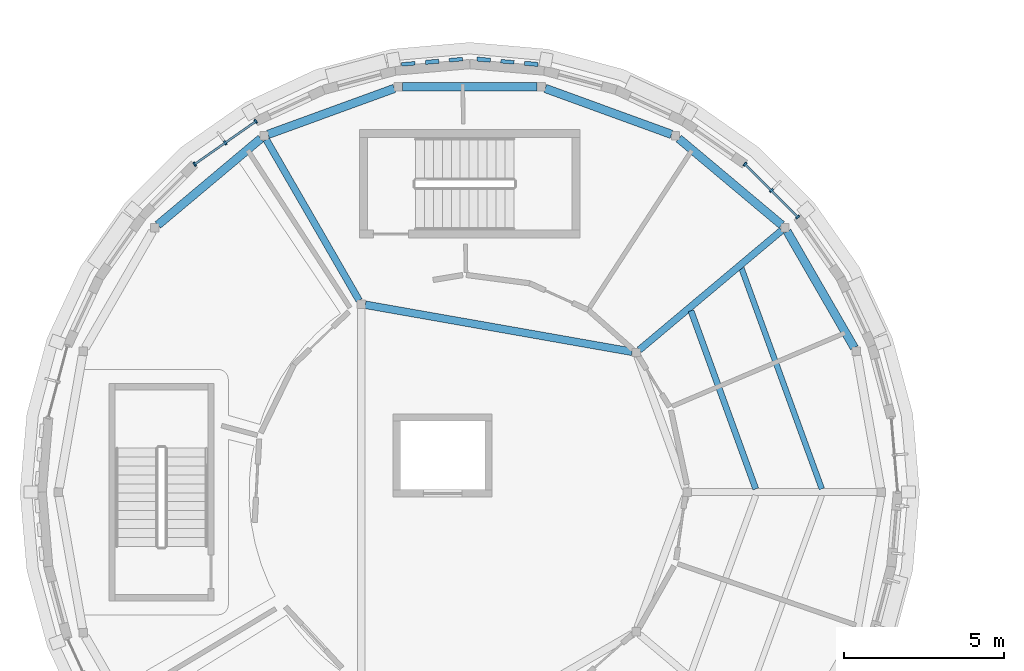
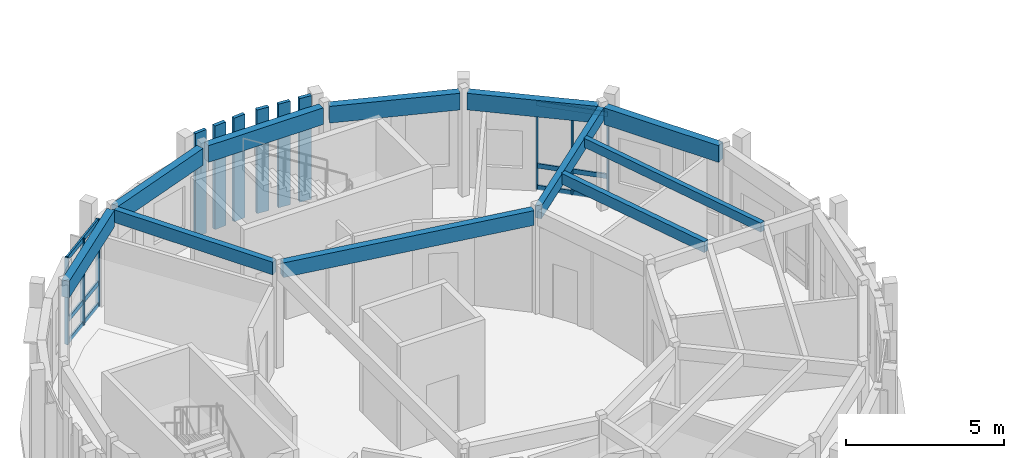
# One storey, part 7 of 30: 18 members, 11 beams, 2 elements without a shape of their own.
"""IFC4 building model written with IfcOpenShell, lengths in metres."""

import ifcopenshell
import ifcopenshell.guid

model = None  # the IFC model being written
_history = None  # IfcOwnerHistory: only IFC2X3 demands one
_inside = {}  # id of a spatial element -> (the spatial element, [elements in it])
_under = {}  # id of a project, library or spatial element -> (it, [spatial elements below it])
_declared = {}  # id of a project -> (the project, [libraries it declares])
_typed = {}  # id of a type object -> (the type object, [elements of that type])
_made_of = {}  # id of a material, layer set ... -> (it, [elements and type objects made of it])


def new_model(schema):
    """Start an empty IFC model of exactly this schema.

    Asked for "IFC4X3", IfcOpenShell would pick the latest addendum, in which some entities
    have other attributes; the version numbers below select the first issue.
    IFC2X3 requires an IfcOwnerHistory on every rooted entity: one is made here for all.
    """
    global model, _history
    if schema == "IFC4X3":
        model = ifcopenshell.file(schema_version=(4, 3, 0, 0))
    else:
        model = ifcopenshell.file(schema=schema)
    _inside.clear()
    _under.clear()
    _declared.clear()
    _typed.clear()
    _made_of.clear()
    _history = None
    if model.schema == "IFC2X3":
        org = make("IfcOrganization", Name="unknown")
        user = make(
            "IfcPersonAndOrganization",
            ThePerson=make("IfcPerson", FamilyName="unknown"),
            TheOrganization=org,
        )
        app = make(
            "IfcApplication",
            ApplicationDeveloper=org,
            Version="unknown",
            ApplicationFullName="unknown",
            ApplicationIdentifier="unknown",
        )
        _history = make(
            "IfcOwnerHistory",
            OwningUser=user,
            OwningApplication=app,
            ChangeAction="ADDED",
            CreationDate=0,
        )
    return model


def make(cls, **values):
    """One entity of the class cls with the attributes given. An attribute that is None is left unset."""
    return model.create_entity(
        cls, **{name: value for name, value in values.items() if value is not None}
    )


def rooted(cls, **values):
    """An entity with a GlobalId (a new one), such as an element, a storey or a relation."""
    return make(cls, GlobalId=ifcopenshell.guid.new(), OwnerHistory=_history, **values)


def si_unit(unit_type, name, prefix=None):
    """IfcSIUnit, for example si_unit("LENGTHUNIT", "METRE", prefix="MILLI")."""
    return make("IfcSIUnit", UnitType=unit_type, Prefix=prefix, Name=name)


def assignment(units):
    """IfcUnitAssignment: the units of a project."""
    return None if units is None else make("IfcUnitAssignment", Units=units)


def point(xyz):
    """IfcCartesianPoint."""
    return None if xyz is None else make("IfcCartesianPoint", Coordinates=xyz)


def direction(xyz):
    """IfcDirection."""
    return None if xyz is None else make("IfcDirection", DirectionRatios=xyz)


def frame(location, z_axis=None, x_axis=None):
    """IfcAxis2Placement3D, a coordinate frame: its origin and axes. An axis left out is left unset."""
    return make(
        "IfcAxis2Placement3D",
        Location=point(location),
        Axis=direction(z_axis),
        RefDirection=direction(x_axis),
    )


def frame_2d(location, x_axis=None):
    """IfcAxis2Placement2D, a coordinate frame in the plane: its origin and x axis."""
    return make(
        "IfcAxis2Placement2D", Location=point(location), RefDirection=direction(x_axis)
    )


def origin():
    """The frame at (0, 0, 0) with its axes left unset."""
    return frame((0.0, 0.0, 0.0))


def origin_2d():
    """The frame at (0, 0) in the plane with its x axis left unset."""
    return frame_2d((0.0, 0.0))


def place(relative_to, where):
    """IfcLocalPlacement: puts the frame where relative to a parent placement (None: the world)."""
    return make(
        "IfcLocalPlacement", PlacementRelTo=relative_to, RelativePlacement=where
    )


def context(
    kind, dimensions, precision=None, world=None, true_north=None, identifier=None
):
    """IfcGeometricRepresentationContext, for example the 3D "Model" context."""
    return make(
        "IfcGeometricRepresentationContext",
        ContextIdentifier=identifier,
        ContextType=kind,
        CoordinateSpaceDimension=dimensions,
        Precision=precision,
        WorldCoordinateSystem=world,
        TrueNorth=true_north,
    )


def subcontext(parent, identifier, kind, view, scale=None):
    """IfcGeometricRepresentationSubContext, for example "Body" below "Model"."""
    return make(
        "IfcGeometricRepresentationSubContext",
        ContextIdentifier=identifier,
        ContextType=kind,
        ParentContext=parent,
        TargetScale=scale,
        TargetView=view,
    )


def project(units=None, contexts=None):
    """IfcProject with its units and contexts."""
    return rooted(
        "IfcProject",
        Name="project",
        RepresentationContexts=contexts,
        UnitsInContext=assignment(units),
    )


def spatial(cls, under=None, at=None, **own):
    """A site, building, storey or space (cls), placed at a placement, below another one or the project."""
    s = rooted(cls, ObjectPlacement=at, **own)
    if under is not None:
        _under.setdefault(under.id(), (under, []))[1].append(s)
    return s


def profile(cls, at=None, kind="AREA", **sizes):
    """A parametric profile (cls). Its sizes go by their IFC names, for example OverallWidth=200.0."""
    return make(cls, ProfileType=kind, Position=at, **sizes)


def rectangle(**sizes):
    """IfcRectangleProfileDef."""
    return profile("IfcRectangleProfileDef", **sizes)


def extrude(swept, where, along, depth):
    """IfcExtrudedAreaSolid: the profile swept, set in the frame where, extruded along a direction by depth."""
    return make(
        "IfcExtrudedAreaSolid",
        SweptArea=swept,
        Position=where,
        ExtrudedDirection=direction(along),
        Depth=depth,
    )


def shape(context_of_items, identifier, shape_type, items):
    """IfcShapeRepresentation: the items that make up one representation, for example the "Body"."""
    return make(
        "IfcShapeRepresentation",
        ContextOfItems=context_of_items,
        RepresentationIdentifier=identifier,
        RepresentationType=shape_type,
        Items=items,
    )


def material(Name=None, Category=None):
    """IfcMaterial."""
    return make("IfcMaterial", Name=Name, Category=Category)


def layer(
    of_material, thickness, ventilated=None, Name=None, Category=None, Priority=None
):
    """IfcMaterialLayer: one layer of a wall or slab, of a material (None: an air gap)."""
    return make(
        "IfcMaterialLayer",
        Material=of_material,
        LayerThickness=thickness,
        IsVentilated=ventilated,
        Name=Name,
        Category=Category,
        Priority=Priority,
    )


def layer_set(layers, Name=None):
    """IfcMaterialLayerSet."""
    return make("IfcMaterialLayerSet", MaterialLayers=layers, LayerSetName=Name)


def material_profile(
    of_material, cross_section, Name=None, Category=None, Priority=None
):
    """IfcMaterialProfile: a cross section and its material."""
    return make(
        "IfcMaterialProfile",
        Name=Name,
        Material=of_material,
        Profile=cross_section,
        Priority=Priority,
        Category=Category,
    )


def profile_set(profiles, Name=None, composite=None):
    """IfcMaterialProfileSet."""
    return make(
        "IfcMaterialProfileSet",
        Name=Name,
        MaterialProfiles=profiles,
        CompositeProfile=composite,
    )


def made_of(thing, what):
    """Note that an element or type object is made of a material, layer set ...; save() writes the relation."""
    if what is not None:
        _made_of.setdefault(what.id(), (what, []))[1].append(thing)
    return thing


def type_object(cls, material=None, **own):
    """A type object (cls), such as IfcWallType, which elements share."""
    return made_of(rooted(cls, **own), material)


def element(
    cls,
    number,
    at=None,
    inside=None,
    cuts=None,
    type_object=None,
    material=None,
    context=None,
    identifier="Body",
    shape_type=None,
    held_by="IfcProductDefinitionShape",
    body=None,
    shapes=None,
    **own,
):
    """One element of the class cls, such as IfcWall. Its Tag is "e" and its number.

    at: its placement. inside: the storey or other place that contains it. cuts: it is an
    opening in that element (IfcRelVoidsElement). A single representation is given by context,
    identifier, shape_type and body (its items); several are given by shapes. held_by: the class
    of the entity that holds the representations. save() writes the other relations.
    """
    e = rooted(cls, Tag="e%d" % number, ObjectPlacement=at, **own)
    if body is not None:
        shapes = [shape(context, identifier, shape_type, body)]
    if shapes is not None:
        e.Representation = make(held_by, Representations=shapes)
    if inside is not None:
        _inside.setdefault(inside.id(), (inside, []))[1].append(e)
    if cuts is not None:
        rooted(
            "IfcRelVoidsElement", RelatingBuildingElement=cuts, RelatedOpeningElement=e
        )
    if type_object is not None:
        _typed.setdefault(type_object.id(), (type_object, []))[1].append(e)
    return made_of(e, material)


def aggregate(whole, parts):
    """IfcRelAggregates: a whole, such as a stair, and the parts it consists of."""
    return rooted("IfcRelAggregates", RelatingObject=whole, RelatedObjects=parts)


def save(model, path):
    """Write the relations noted so far, then the file.

    IfcRelAggregates (storeys below a building ...), IfcRelContainedInSpatialStructure (elements
    in a storey), IfcRelDefinesByType, IfcRelAssociatesMaterial and IfcRelDeclares: one each for
    every whole, place, type object, material and project.
    """
    for whole, parts in _under.values():
        aggregate(whole, parts)
    for where, things in _inside.values():
        rooted(
            "IfcRelContainedInSpatialStructure",
            RelatedElements=things,
            RelatingStructure=where,
        )
    for kind, things in _typed.values():
        rooted("IfcRelDefinesByType", RelatedObjects=things, RelatingType=kind)
    for what, things in _made_of.values():
        rooted("IfcRelAssociatesMaterial", RelatedObjects=things, RelatingMaterial=what)
    for by, libraries in _declared.values():
        rooted("IfcRelDeclares", RelatingContext=by, RelatedDefinitions=libraries)
    model.write(path)


model = new_model("IFC4")

# Units and contexts
model_context = context("Model", 3, precision=1e-05, world=origin(), true_north=direction((0.0, 1.0)))
body_context = subcontext(model_context, "Body", "Model", "MODEL_VIEW")
ifc_project = project(units=[si_unit("LENGTHUNIT", "METRE"), si_unit("AREAUNIT", "SQUARE_METRE"), si_unit("VOLUMEUNIT", "CUBIC_METRE"), si_unit("PLANEANGLEUNIT", "RADIAN"), si_unit("MASSUNIT", "GRAM", prefix="KILO")], contexts=[model_context])

# Site, building, storey
site_placement = place(None, origin())
site = spatial("IfcSite", under=ifc_project, at=site_placement, CompositionType="ELEMENT")
building_placement = place(site_placement, origin())
building = spatial("IfcBuilding", under=site, at=building_placement, Name="Aldenvaro Health Centre", CompositionType="ELEMENT")
storey_placement = place(building_placement, frame((0.0, 0.0, 17.14990234375)))
storey = spatial("IfcBuildingStorey", under=building, at=storey_placement, Name="L04", CompositionType="ELEMENT", Elevation=17.14990234375)

# Beams
ifc_material_1 = material(Name="Glulam GL28h", Category="wood")
ifc_material_profile_1 = material_profile(ifc_material_1, rectangle(XDim=0.175048828125, YDim=0.35009765625, at=origin_2d()), Name="GL 175x350", Category="wood")
ifc_profile_set_1 = profile_set([ifc_material_profile_1], Name="Glulam GL28h")
beam_type_1 = type_object("IfcBeamType", Name="BM-GL-350", PredefinedType="JOIST", material=ifc_profile_set_1)
beam_1_placement = place(storey_placement, frame((29.51904296875, 99.60107421875, 3.840087890625), z_axis=(-0.341985813082, 0.939705115263, 0.0), x_axis=(-0.939705115263, -0.341985813082, 0.0)))
element("IfcBeam", 1, at=beam_1_placement, inside=storey, type_object=beam_type_1, Name="D4 L04 secondary joist 01.2", PredefinedType="JOIST", context=body_context, shape_type="SweptSolid", body=[
    extrude(rectangle(XDim=0.175048828125, YDim=0.35009765625, at=origin_2d()), origin(), (0.0, 0.0, 1.0), 7.34814453125),
])
ifc_material_profile_2 = material_profile(ifc_material_1, rectangle(XDim=0.18994140625, YDim=0.41796875, at=origin_2d()), Name="GL 190x418", Category="wood")
ifc_profile_set_2 = profile_set([ifc_material_profile_2], Name="Glulam GL28h")
beam_type_2 = type_object("IfcBeamType", Name="BM-GL-418", PredefinedType="JOIST", material=ifc_profile_set_2)
beam_2_placement = place(storey_placement, frame((27.451904296875, 99.60107421875, 3.80615234375), z_axis=(-0.341921455433, 0.939728534373, 0.0), x_axis=(-0.939728534373, -0.341921455433, 0.0)))
element("IfcBeam", 2, at=beam_2_placement, inside=storey, type_object=beam_type_2, Name="D4 L04 secondary joist 01.1", PredefinedType="JOIST", context=body_context, shape_type="SweptSolid", body=[
    extrude(rectangle(XDim=0.18994140625, YDim=0.41796875, at=origin_2d()), origin(), (0.0, 0.0, 1.0), 5.93359375),
])
ifc_material_profile_3 = material_profile(ifc_material_1, rectangle(XDim=0.215087890625, YDim=0.493896484375, at=origin_2d()), Name="GL 215x494", Category="wood")
ifc_profile_set_3 = profile_set([ifc_material_profile_3], Name="Glulam GL28h")
beam_type_3 = type_object("IfcBeamType", Name="BM-GL-494", PredefinedType="BEAM", material=ifc_profile_set_3)
beam_3_placement = place(storey_placement, frame((23.81103515625, 103.9560546875, 3.76806640625), z_axis=(0.765976099858, 0.642869049221, 0.0), x_axis=(-0.642869049221, 0.765976099858, 0.0)))
element("IfcBeam", 3, at=beam_3_placement, inside=storey, type_object=beam_type_3, Name="D4 L04 radial beam 02", PredefinedType="BEAM", context=body_context, shape_type="SweptSolid", body=[
    extrude(rectangle(XDim=0.215087890625, YDim=0.493896484375, at=origin_2d()), origin(), (0.0, 0.0, 1.0), 5.814697265625),
])
beam_4_placement = place(storey_placement, frame((15.033935546875, 105.50390625, 3.76806640625), z_axis=(-0.50011739498, 0.865957615151, 0.0), x_axis=(-0.865957615151, -0.50011739498, 0.0)))
element("IfcBeam", 4, at=beam_4_placement, inside=storey, type_object=beam_type_3, Name="D4 L04 radial beam 03", PredefinedType="BEAM", context=body_context, shape_type="SweptSolid", body=[
    extrude(rectangle(XDim=0.215087890625, YDim=0.493896484375, at=origin_2d()), origin(), (0.0, 0.0, 1.0), 5.814453125),
])
ifc_material_profile_4 = material_profile(ifc_material_1, rectangle(XDim=0.239990234375, YDim=0.570068359375, at=origin_2d()), Name="GL 240x570", Category="wood")
ifc_profile_set_4 = profile_set([ifc_material_profile_4], Name="Glulam GL28h")
beam_type_4 = type_object("IfcBeamType", Name="BM-GL-570", PredefinedType="BEAM", material=ifc_profile_set_4)
beam_5_placement = place(storey_placement, frame((23.5791015625, 103.89404296875, 3.72998046875), z_axis=(-0.984812825398, 0.173619408279, 0.0), x_axis=(-0.173619408279, -0.984812825398, 0.0)))
element("IfcBeam", 5, at=beam_5_placement, inside=storey, type_object=beam_type_4, Name="D4 L04 inner ring beam 02", PredefinedType="BEAM", context=body_context, shape_type="SweptSolid", body=[
    extrude(rectangle(XDim=0.239990234375, YDim=0.570068359375, at=origin_2d()), origin(), (0.0, 0.0, 1.0), 8.477783203125),
])
ifc_material_profile_5 = material_profile(ifc_material_1, rectangle(XDim=0.264892578125, YDim=0.64599609375, at=origin_2d()), Name="GL 265x646", Category="wood")
ifc_profile_set_5 = profile_set([ifc_material_profile_5], Name="Glulam GL28h")
beam_type_5 = type_object("IfcBeamType", Name="BM-GL-646", PredefinedType="SPANDREL", material=ifc_profile_set_5)
for number, where, z_axis, x_axis, name in (
    (6, (30.537109375, 104.02001953125, 3.692138671875), (-0.500020446946, 0.866013598413, 0.0), (-0.866013598413, -0.500020446946, 0.0), "D4 L04 perimeter spandrel 02"),
    (7, (28.264892578125, 107.864013671875, 3.692138671875), (-0.765957416677, 0.642891309505, 0.0), (-0.642891309505, -0.765957416677, 0.0), "D4 L04 perimeter spandrel 03"),
):
    element("IfcBeam", number, at=place(storey_placement, frame(where, z_axis=z_axis, x_axis=x_axis)), inside=storey, type_object=beam_type_5, Name=name, PredefinedType="SPANDREL", context=body_context, shape_type="SweptSolid", body=[
        extrude(rectangle(XDim=0.264892578125, YDim=0.64599609375, at=origin_2d()), origin(), (0.0, 0.0, 1.0), 4.207763671875),
    ])
beam_6_placement = place(storey_placement, frame((24.81494140625, 110.698974609375, 3.692138671875), z_axis=(-0.939600114943, 0.342274194178, 0.0), x_axis=(-0.342274194178, -0.939600114943, 0.0)))
element("IfcBeam", 8, at=beam_6_placement, inside=storey, type_object=beam_type_5, Name="D4 L04 perimeter spandrel 04", PredefinedType="SPANDREL", context=body_context, shape_type="SweptSolid", body=[
    extrude(rectangle(XDim=0.264892578125, YDim=0.64599609375, at=origin_2d()), origin(), (0.0, 0.0, 1.0), 4.20703125),
])
beam_7_placement = place(storey_placement, frame((20.60400390625, 112.18408203125, 3.692138671875), z_axis=(-1.0, 0.0, 0.0), x_axis=(0.0, -1.0, 0.0)))
element("IfcBeam", 9, at=beam_7_placement, inside=storey, type_object=beam_type_5, Name="D4 L04 perimeter spandrel 05", PredefinedType="SPANDREL", context=body_context, shape_type="SweptSolid", body=[
    extrude(rectangle(XDim=0.264892578125, YDim=0.64599609375, at=origin_2d()), origin(), (0.0, 0.0, 1.0), 4.2080078125),
])
beam_8_placement = place(storey_placement, frame((16.137939453125, 112.138916015625, 3.692138671875), z_axis=(-0.939600114943, -0.342274194178, 0.0), x_axis=(0.342274194178, -0.939600114943, 0.0)))
element("IfcBeam", 10, at=beam_8_placement, inside=storey, type_object=beam_type_5, Name="D4 L04 perimeter spandrel 06", PredefinedType="SPANDREL", context=body_context, shape_type="SweptSolid", body=[
    extrude(rectangle(XDim=0.264892578125, YDim=0.64599609375, at=origin_2d()), origin(), (0.0, 0.0, 1.0), 4.20703125),
])
beam_9_placement = place(storey_placement, frame((11.9580078125, 110.569091796875, 3.692138671875), z_axis=(-0.765957416677, -0.642891309505, 0.0), x_axis=(0.642891309505, -0.765957416677, 0.0)))
element("IfcBeam", 11, at=beam_9_placement, inside=storey, type_object=beam_type_5, Name="D4 L04 perimeter spandrel 07", PredefinedType="SPANDREL", context=body_context, shape_type="SweptSolid", body=[
    extrude(rectangle(XDim=0.264892578125, YDim=0.64599609375, at=origin_2d()), origin(), (0.0, 0.0, 1.0), 4.207763671875),
])

# Curtain wall, members
ifc_material_2 = material(Name="Anodised Aluminium 6063-T6", Category="aluminium")
ifc_layer = layer(ifc_material_2, 0.22509765625, Name="Anodised Aluminium 6063-T6", Category="aluminium")
ifc_layer_set = layer_set([ifc_layer], Name="Anodised Aluminium 6063-T6")
curtain_wall_type = type_object("IfcCurtainWallType", Name="CW-TER-04", PredefinedType="NOTDEFINED", material=ifc_layer_set)
curtain_wall_1_placement = place(storey_placement, origin())
curtain_wall_1 = element("IfcCurtainWall", 12, at=curtain_wall_1_placement, inside=storey, type_object=curtain_wall_type, Name="D4 L04 curtain wall bay 24", PredefinedType="NOTDEFINED")
ifc_material_profile_6 = material_profile(ifc_material_2, rectangle(XDim=0.06005859375, YDim=0.135009765625, at=origin_2d()), Name="ALU 60x135", Category="aluminium")
ifc_profile_set_6 = profile_set([ifc_material_profile_6], Name="Anodised Aluminium 6063-T6")
member_type_1 = type_object("IfcMemberType", Name="CWM-150", PredefinedType="MULLION", material=ifc_profile_set_6)
member_1_placement = place(storey_placement, frame((9.886962890625, 109.764892578125, 0.0), z_axis=(0.0, 0.0, 1.0), x_axis=(0.819050849853, 0.573720929857, 0.0)))
member_1 = element("IfcMember", 13, at=member_1_placement, type_object=member_type_1, Name="D4 L04 curtain wall bay 24 mullion 1", PredefinedType="MULLION", context=body_context, shape_type="SweptSolid", body=[
    extrude(rectangle(XDim=0.06005859375, YDim=0.135009765625, at=origin_2d()), origin(), (0.0, 0.0, 1.0), 3.369140625),
])
member_2_placement = place(storey_placement, frame((10.843994140625, 110.43505859375, 0.0), z_axis=(0.0, 0.0, 1.0), x_axis=(0.819050849853, 0.573720929857, 0.0)))
member_2 = element("IfcMember", 14, at=member_2_placement, type_object=member_type_1, Name="D4 L04 curtain wall bay 24 mullion 2", PredefinedType="MULLION", context=body_context, shape_type="SweptSolid", body=[
    extrude(rectangle(XDim=0.06005859375, YDim=0.135009765625, at=origin_2d()), origin(), (0.0, 0.0, 1.0), 3.369140625),
])
member_3_placement = place(storey_placement, frame((11.800048828125, 111.10498046875, 0.0), z_axis=(0.0, 0.0, 1.0), x_axis=(0.819050849853, 0.573720929857, 0.0)))
member_3 = element("IfcMember", 15, at=member_3_placement, type_object=member_type_1, Name="D4 L04 curtain wall bay 24 mullion 3", PredefinedType="MULLION", context=body_context, shape_type="SweptSolid", body=[
    extrude(rectangle(XDim=0.06005859375, YDim=0.135009765625, at=origin_2d()), origin(), (0.0, 0.0, 1.0), 3.369140625),
])

curtain_wall_2_placement = place(storey_placement, origin())
curtain_wall_2 = element("IfcCurtainWall", 16, at=curtain_wall_2_placement, inside=storey, type_object=curtain_wall_type, Name="D4 L04 curtain wall bay 32", PredefinedType="NOTDEFINED")
member_4_placement = place(storey_placement, frame((27.113037109375, 109.764892578125, 0.0), z_axis=(0.0, 0.0, 1.0), x_axis=(0.707106781187, -0.707106781187, 0.0)))
member_4 = element("IfcMember", 17, at=member_4_placement, type_object=member_type_1, Name="D4 L04 curtain wall bay 32 mullion 1", PredefinedType="MULLION", context=body_context, shape_type="SweptSolid", body=[
    extrude(rectangle(XDim=0.06005859375, YDim=0.135009765625, at=origin_2d()), origin(), (0.0, 0.0, 1.0), 3.369140625),
])
member_5_placement = place(storey_placement, frame((27.93896484375, 108.93896484375, 0.0), z_axis=(0.0, 0.0, 1.0), x_axis=(0.707106781187, -0.707106781187, 0.0)))
member_5 = element("IfcMember", 18, at=member_5_placement, type_object=member_type_1, Name="D4 L04 curtain wall bay 32 mullion 2", PredefinedType="MULLION", context=body_context, shape_type="SweptSolid", body=[
    extrude(rectangle(XDim=0.06005859375, YDim=0.135009765625, at=origin_2d()), origin(), (0.0, 0.0, 1.0), 3.369140625),
])
member_6_placement = place(storey_placement, frame((28.764892578125, 108.113037109375, 0.0), z_axis=(0.0, 0.0, 1.0), x_axis=(0.707106781187, -0.707106781187, 0.0)))
member_6 = element("IfcMember", 19, at=member_6_placement, type_object=member_type_1, Name="D4 L04 curtain wall bay 32 mullion 3", PredefinedType="MULLION", context=body_context, shape_type="SweptSolid", body=[
    extrude(rectangle(XDim=0.06005859375, YDim=0.135009765625, at=origin_2d()), origin(), (0.0, 0.0, 1.0), 3.369140625),
])

# Member
ifc_material_profile_7 = material_profile(ifc_material_2, rectangle(XDim=0.06494140625, YDim=0.179931640625, at=origin_2d()), Name="ALU 65x180", Category="aluminium")
ifc_profile_set_7 = profile_set([ifc_material_profile_7], Name="Anodised Aluminium 6063-T6")
member_type_2 = type_object("IfcMemberType", Name="CWT-150", PredefinedType="USERDEFINED", material=ifc_profile_set_7)
member_7_placement = place(storey_placement, frame((9.886962890625, 109.764892578125, 0.06005859375), z_axis=(0.819045278347, 0.573728883722, 0.0), x_axis=(-0.573728883722, 0.819045278347, 0.0)))
member_7 = element("IfcMember", 20, at=member_7_placement, type_object=member_type_2, Name="D4 L04 curtain wall bay 24 transom 1", ObjectType="TRANSOM", PredefinedType="USERDEFINED", context=body_context, shape_type="SweptSolid", body=[
    extrude(rectangle(XDim=0.06494140625, YDim=0.179931640625, at=origin_2d()), origin(), (0.0, 0.0, 1.0), 2.335693359375),
])

member_8_placement = place(storey_placement, frame((9.886962890625, 109.764892578125, 0.900146484375), z_axis=(0.819045278347, 0.573728883722, 0.0), x_axis=(-0.573728883722, 0.819045278347, 0.0)))
member_8 = element("IfcMember", 21, at=member_8_placement, type_object=member_type_2, Name="D4 L04 curtain wall bay 24 transom 2", ObjectType="TRANSOM", PredefinedType="USERDEFINED", context=body_context, shape_type="SweptSolid", body=[
    extrude(rectangle(XDim=0.06494140625, YDim=0.179931640625, at=origin_2d()), origin(), (0.0, 0.0, 1.0), 2.335693359375),
])

member_9_placement = place(storey_placement, frame((9.886962890625, 109.764892578125, 3.30908203125), z_axis=(0.819045278347, 0.573728883722, 0.0), x_axis=(-0.573728883722, 0.819045278347, 0.0)))
member_9 = element("IfcMember", 22, at=member_9_placement, type_object=member_type_2, Name="D4 L04 curtain wall bay 24 transom 3", ObjectType="TRANSOM", PredefinedType="USERDEFINED", context=body_context, shape_type="SweptSolid", body=[
    extrude(rectangle(XDim=0.06494140625, YDim=0.179931640625, at=origin_2d()), origin(), (0.0, 0.0, 1.0), 2.335693359375),
])

aggregate(curtain_wall_1, [member_1, member_2, member_3, member_7, member_8, member_9])

member_10_placement = place(storey_placement, frame((27.113037109375, 109.764892578125, 0.06005859375), z_axis=(0.707106781187, -0.707106781187, 0.0), x_axis=(0.707106781187, 0.707106781187, 0.0)))
member_10 = element("IfcMember", 23, at=member_10_placement, type_object=member_type_2, Name="D4 L04 curtain wall bay 32 transom 1", ObjectType="TRANSOM", PredefinedType="USERDEFINED", context=body_context, shape_type="SweptSolid", body=[
    extrude(rectangle(XDim=0.06494140625, YDim=0.179931640625, at=origin_2d()), origin(), (0.0, 0.0, 1.0), 2.336181640625),
])

member_11_placement = place(storey_placement, frame((27.113037109375, 109.764892578125, 0.900146484375), z_axis=(0.707106781187, -0.707106781187, 0.0), x_axis=(0.707106781187, 0.707106781187, 0.0)))
member_11 = element("IfcMember", 24, at=member_11_placement, type_object=member_type_2, Name="D4 L04 curtain wall bay 32 transom 2", ObjectType="TRANSOM", PredefinedType="USERDEFINED", context=body_context, shape_type="SweptSolid", body=[
    extrude(rectangle(XDim=0.06494140625, YDim=0.179931640625, at=origin_2d()), origin(), (0.0, 0.0, 1.0), 2.336181640625),
])

member_12_placement = place(storey_placement, frame((27.113037109375, 109.764892578125, 3.30908203125), z_axis=(0.707106781187, -0.707106781187, 0.0), x_axis=(0.707106781187, 0.707106781187, 0.0)))
member_12 = element("IfcMember", 25, at=member_12_placement, type_object=member_type_2, Name="D4 L04 curtain wall bay 32 transom 3", ObjectType="TRANSOM", PredefinedType="USERDEFINED", context=body_context, shape_type="SweptSolid", body=[
    extrude(rectangle(XDim=0.06494140625, YDim=0.179931640625, at=origin_2d()), origin(), (0.0, 0.0, 1.0), 2.336181640625),
])

aggregate(curtain_wall_2, [member_4, member_5, member_6, member_10, member_11, member_12])

# Members
ifc_material_profile_8 = material_profile(ifc_material_1, rectangle(XDim=0.114990234375, YDim=0.419921875, at=origin_2d()), Name="GL 115x420", Category="wood")
ifc_profile_set_8 = profile_set([ifc_material_profile_8], Name="Glulam GL28h")
member_type_3 = type_object("IfcMemberType", Name="MEM-SLT-420A", PredefinedType="POST", material=ifc_profile_set_8)
for number, where, z_axis, x_axis, name in (
    (26, (16.575927734375, 112.906982421875, 0.0), (0.0, 0.0, 1.0), (-0.087331575855, 0.996179299052, 0.0), "D4 L04 vertical timber slat 27.1"),
    (27, (18.06591796875, 113.0380859375, 0.0), (0.0, 0.0, 1.0), (-0.087331575855, 0.996179299052, 0.0), "D4 L04 vertical timber slat 27.3"),
    (28, (19.678955078125, 112.971923828125, 0.0), (0.0, 0.0, 1.0), (0.087331575855, 0.996179299052, 0.0), "D4 L04 vertical timber slat 28.2"),
):
    element("IfcMember", number, at=place(storey_placement, frame(where, z_axis=z_axis, x_axis=x_axis)), inside=storey, type_object=member_type_3, Name=name, PredefinedType="POST", context=body_context, shape_type="SweptSolid", body=[
        extrude(rectangle(XDim=0.114990234375, YDim=0.419921875, at=origin_2d()), origin(), (0.0, 0.0, 1.0), 4.01513671875),
    ])
ifc_material_profile_9 = material_profile(ifc_material_1, rectangle(XDim=0.1298828125, YDim=0.419921875, at=origin_2d()), Name="GL 130x420", Category="wood")
ifc_profile_set_9 = profile_set([ifc_material_profile_9], Name="Glulam GL28h")
member_type_4 = type_object("IfcMemberType", Name="MEM-SLT-420B", PredefinedType="POST", material=ifc_profile_set_9)
for number, where, z_axis, x_axis, name in (
    (29, (17.321044921875, 112.971923828125, 0.0), (0.0, 0.0, 1.0), (-0.087331575855, 0.996179299052, 0.0), "D4 L04 vertical timber slat 27.2"),
    (30, (18.93408203125, 113.0380859375, 0.0), (0.0, 0.0, 1.0), (0.087331575855, 0.996179299052, 0.0), "D4 L04 vertical timber slat 28.1"),
    (31, (20.424072265625, 112.906982421875, 0.0), (0.0, 0.0, 1.0), (0.087331575855, 0.996179299052, 0.0), "D4 L04 vertical timber slat 28.3"),
):
    element("IfcMember", number, at=place(storey_placement, frame(where, z_axis=z_axis, x_axis=x_axis)), inside=storey, type_object=member_type_4, Name=name, PredefinedType="POST", context=body_context, shape_type="SweptSolid", body=[
        extrude(rectangle(XDim=0.1298828125, YDim=0.419921875, at=origin_2d()), origin(), (0.0, 0.0, 1.0), 4.01513671875),
    ])

save(model, "model.ifc")
